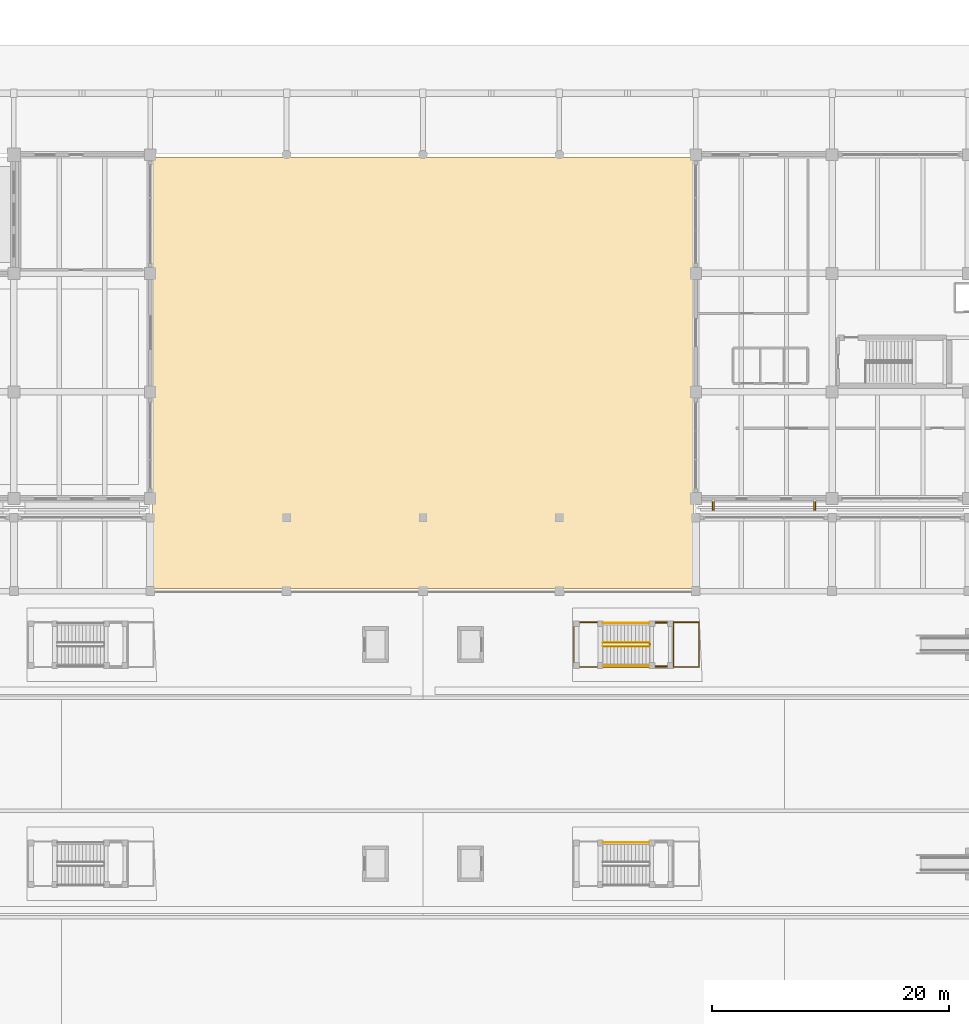
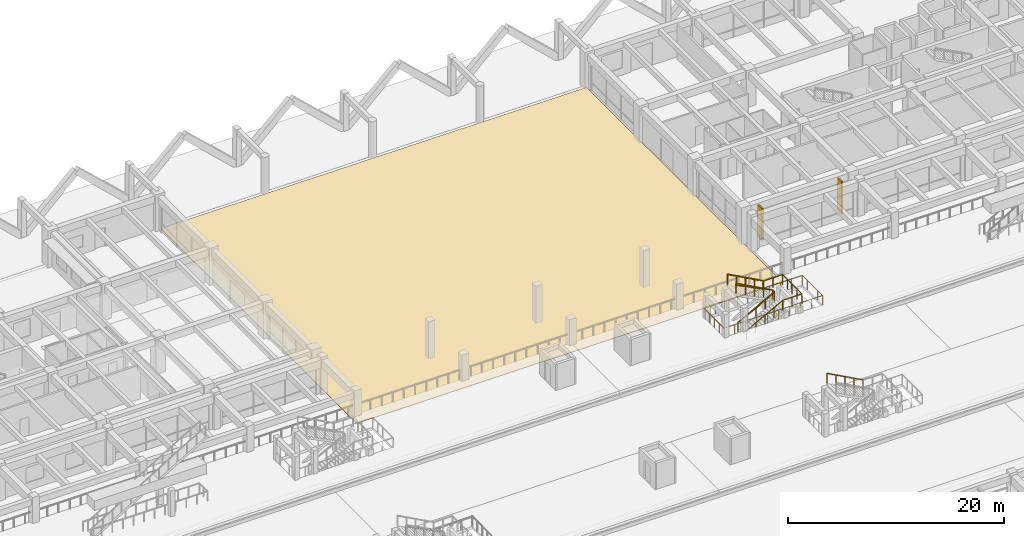
# One storey, part 104 of 109: 8 railings, 2 shading devices, 1 covering.
"""IFC4 building model written with IfcOpenShell, lengths in metres."""

from ifc_helpers import new_model, si_unit, direction, frame, origin, origin_2d, place, context, subcontext, project, spatial, polyline, rectangle, circle, outline, extrude, material, layer, layer_set, type_object, element, save


model = new_model("IFC4")

# Units and contexts
model_context = context("Model", 3, precision=1e-05, world=origin(), true_north=direction((0.0, 1.0)))
body_context = subcontext(model_context, "Body", "Model", "MODEL_VIEW")
ifc_project = project(units=[si_unit("LENGTHUNIT", "METRE"), si_unit("AREAUNIT", "SQUARE_METRE"), si_unit("VOLUMEUNIT", "CUBIC_METRE"), si_unit("PLANEANGLEUNIT", "RADIAN"), si_unit("MASSUNIT", "GRAM", prefix="KILO")], contexts=[model_context])

# Site, building, storey
site_placement = place(None, origin())
site = spatial("IfcSite", under=ifc_project, at=site_placement, CompositionType="ELEMENT")
building_placement = place(site_placement, origin())
building = spatial("IfcBuilding", under=site, at=building_placement, Name="Ologun Quay Terminus", CompositionType="ELEMENT")
storey_placement = place(building_placement, origin())
storey = spatial("IfcBuildingStorey", under=building, at=storey_placement, Name="L00", CompositionType="ELEMENT", Elevation=0.0)

# Shading devices
ifc_material_1 = material(Name="Concrete C40/50", Category="concrete")
ifc_layer_1 = layer(ifc_material_1, 0.159912109375)
ifc_layer_set_1 = layer_set([ifc_layer_1], Name="Concrete C40/50")
shading_device_type = type_object("IfcShadingDeviceType", Name="Operations Angled Precast Solar Fin 850x160", PredefinedType="USERDEFINED", material=ifc_layer_set_1)
for number, where, z_axis, x_axis, name in (
    (1, (116.469970703125, 85.2451171875, 0.150146484375), (0.0, 0.0, 1.0), (1.0, 0.0, 0.0), "SD-05 Vertical Solar Fin WEW-EW-L00-1-1"),
    (2, (125.030029296875, 85.2451171875, 0.150146484375), (0.0, 0.0, 1.0), (1.0, 0.0, 0.0), "SD-05 Vertical Solar Fin WEW-EW-L00-1-2"),
):
    element("IfcShadingDevice", number, at=place(storey_placement, frame(where, z_axis=z_axis, x_axis=x_axis)), inside=storey, type_object=shading_device_type, Name=name, ObjectType="SOLAR FIN", PredefinedType="USERDEFINED", context=body_context, shape_type="SweptSolid", body=[
        extrude(rectangle(XDim=0.159912109375, YDim=0.85009765625, at=origin_2d()), origin(), (0.0, 0.0, 1.0), 3.6298828125),
    ])

# Covering
ifc_material_2 = material(Name="Granite Stone", Category="masonry")
ifc_layer_2 = layer(ifc_material_2, 0.06005859375)
ifc_layer_set_2 = layer_set([ifc_layer_2], Name="Granite Stone")
covering_type = type_object("IfcCoveringType", Name="Quay & Forecourt Bush-Hammered Granite Paving 60", PredefinedType="USERDEFINED", material=ifc_layer_set_2)
covering_placement = place(storey_placement, frame((0.0, 0.0, -0.06005859375)))
element("IfcCovering", 3, at=covering_placement, inside=storey, type_object=covering_type, Name="CV-PVG Exterior Granite Paving RAIN-COURT", ObjectType="PAVING", PredefinedType="USERDEFINED", context=body_context, shape_type="SweptSolid", body=[
    extrude(outline(polyline([(69.199951171875, 78.199951171875), (114.800048828125, 78.199951171875), (114.800048828125, 114.60009765625), (69.199951171875, 114.60009765625), (69.199951171875, 78.199951171875)])), origin(), (0.0, 0.0, 1.0), 0.06005859375),
])

# Railings
ifc_material_3 = material(Name="Steel S355", Category="steel")
railing_type_1 = type_object("IfcRailingType", Name="Stair & Landing Steel Guardrail 1100", PredefinedType="GUARDRAIL", material=ifc_material_3)
railing_1_placement = place(storey_placement, frame((107.199951171875, 73.35009765625, 0.0)))
element("IfcRailing", 4, at=railing_1_placement, inside=storey, type_object=railing_type_1, Name="GR-ST Stair Inner Well Guard ST-P4 L00", PredefinedType="GUARDRAIL", context=body_context, shape_type="SweptSolid", body=[
    extrude(circle(Radius=0.02392578125, at=origin_2d()), frame((0.0, 0.0, 1.076171875), z_axis=(0.881967403671, 0.0, 0.471310406062), x_axis=(0.0, 1.0, 0.0)), (0.0, 0.0, 1.0), 4.455810546875),
    extrude(circle(Radius=0.02392578125, at=origin_2d()), frame((3.929931640625, 0.0, 3.17626953125), z_axis=(0.0, 1.0, 0.0), x_axis=(-1.0, 0.0, 0.0)), (0.0, 0.0, 1.0), 0.2998046875),
    extrude(circle(Radius=0.02392578125, at=origin_2d()), frame((3.929931640625, 0.2998046875, 3.17626953125), z_axis=(-0.881990178689, 0.0, 0.471267784488), x_axis=(0.0, -1.0, 0.0)), (0.0, 0.0, 1.0), 4.455810546875),
    extrude(circle(Radius=0.02099609375, at=origin_2d()), origin(), (0.0, 0.0, 1.0), 1.052001953125),
    extrude(circle(Radius=0.02099609375, at=origin_2d()), frame((0.982421875, 0.0, 0.52490234375)), (0.0, 0.0, 1.0), 1.052001953125),
    extrude(circle(Radius=0.02099609375, at=origin_2d()), frame((1.96484375, 0.0, 1.050048828125)), (0.0, 0.0, 1.0), 1.052001953125),
    extrude(circle(Radius=0.02099609375, at=origin_2d()), frame((2.947509765625, 0.0, 1.5751953125)), (0.0, 0.0, 1.0), 1.052001953125),
    extrude(circle(Radius=0.02099609375, at=origin_2d()), frame((3.929931640625, 0.0, 2.10009765625)), (0.0, 0.0, 1.0), 1.052001953125),
    extrude(circle(Radius=0.02099609375, at=origin_2d()), frame((3.929931640625, 0.2998046875, 2.10009765625)), (0.0, 0.0, 1.0), 1.052001953125),
    extrude(circle(Radius=0.02099609375, at=origin_2d()), frame((2.947509765625, 0.2998046875, 2.625)), (0.0, 0.0, 1.0), 1.052001953125),
    extrude(circle(Radius=0.02099609375, at=origin_2d()), frame((1.96484375, 0.2998046875, 3.14990234375)), (0.0, 0.0, 1.0), 1.052001953125),
    extrude(circle(Radius=0.02099609375, at=origin_2d()), frame((0.982421875, 0.2998046875, 3.675048828125)), (0.0, 0.0, 1.0), 1.052001953125),
    extrude(circle(Radius=0.02099609375, at=origin_2d()), frame((0.0, 0.2998046875, 4.199951171875)), (0.0, 0.0, 1.0), 1.052001953125),
])
railing_2_placement = place(storey_placement, frame((104.719970703125, 75.300048828125, 1.25)))
element("IfcRailing", 5, at=railing_2_placement, inside=storey, type_object=railing_type_1, Name="GR-ST Platform Pocket Guard ST-P4 L00", PredefinedType="GUARDRAIL", context=body_context, shape_type="SweptSolid", body=[
    extrude(circle(Radius=0.02392578125, at=origin_2d()), frame((0.0, 0.0, 1.076171875), z_axis=(0.0, -1.0, 0.0), x_axis=(1.0, 0.0, 0.0)), (0.0, 0.0, 1.0), 3.679931640625),
    extrude(circle(Radius=0.02392578125, at=origin_2d()), frame((0.0, -3.679931640625, 1.076171875), z_axis=(1.0, 0.0, 0.0), x_axis=(0.0, 1.0, 0.0)), (0.0, 0.0, 1.0), 10.56005859375),
    extrude(circle(Radius=0.02392578125, at=origin_2d()), frame((10.56005859375, -3.679931640625, 1.076171875), z_axis=(0.0, 1.0, 0.0), x_axis=(-1.0, 0.0, 0.0)), (0.0, 0.0, 1.0), 3.759765625),
    extrude(circle(Radius=0.02392578125, at=origin_2d()), frame((10.56005859375, 0.079833984375, 1.076171875), z_axis=(-1.0, 0.0, 0.0), x_axis=(0.0, -1.0, 0.0)), (0.0, 0.0, 1.0), 10.47998046875),
    extrude(circle(Radius=0.02099609375, at=origin_2d()), origin(), (0.0, 0.0, 1.0), 1.052001953125),
    extrude(circle(Radius=0.02099609375, at=origin_2d()), frame((0.0, -0.919921875, 0.0)), (0.0, 0.0, 1.0), 1.052001953125),
    extrude(circle(Radius=0.02099609375, at=origin_2d()), frame((0.0, -1.83984375, 0.0)), (0.0, 0.0, 1.0), 1.052001953125),
    extrude(circle(Radius=0.02099609375, at=origin_2d()), frame((0.0, -2.760009765625, 0.0)), (0.0, 0.0, 1.0), 1.052001953125),
    extrude(circle(Radius=0.02099609375, at=origin_2d()), frame((0.0, -3.679931640625, 0.0)), (0.0, 0.0, 1.0), 1.052001953125),
    extrude(circle(Radius=0.02099609375, at=origin_2d()), frame((1.17333984375, -3.679931640625, 0.0)), (0.0, 0.0, 1.0), 1.052001953125),
    extrude(circle(Radius=0.02099609375, at=origin_2d()), frame((2.3466796875, -3.679931640625, 0.0)), (0.0, 0.0, 1.0), 1.052001953125),
    extrude(circle(Radius=0.02099609375, at=origin_2d()), frame((3.52001953125, -3.679931640625, 0.0)), (0.0, 0.0, 1.0), 1.052001953125),
    extrude(circle(Radius=0.02099609375, at=origin_2d()), frame((4.693359375, -3.679931640625, 0.0)), (0.0, 0.0, 1.0), 1.052001953125),
    extrude(circle(Radius=0.02099609375, at=origin_2d()), frame((5.86669921875, -3.679931640625, 0.0)), (0.0, 0.0, 1.0), 1.052001953125),
    extrude(circle(Radius=0.02099609375, at=origin_2d()), frame((7.0400390625, -3.679931640625, 0.0)), (0.0, 0.0, 1.0), 1.052001953125),
    extrude(circle(Radius=0.02099609375, at=origin_2d()), frame((8.21337890625, -3.679931640625, 0.0)), (0.0, 0.0, 1.0), 1.052001953125),
    extrude(circle(Radius=0.02099609375, at=origin_2d()), frame((9.38671875, -3.679931640625, 0.0)), (0.0, 0.0, 1.0), 1.052001953125),
    extrude(circle(Radius=0.02099609375, at=origin_2d()), frame((10.56005859375, -3.679931640625, 0.0)), (0.0, 0.0, 1.0), 1.052001953125),
    extrude(circle(Radius=0.02099609375, at=origin_2d()), frame((10.56005859375, -2.739990234375, 0.0)), (0.0, 0.0, 1.0), 1.052001953125),
    extrude(circle(Radius=0.02099609375, at=origin_2d()), frame((10.56005859375, -1.800048828125, 0.0)), (0.0, 0.0, 1.0), 1.052001953125),
    extrude(circle(Radius=0.02099609375, at=origin_2d()), frame((10.56005859375, -0.860107421875, 0.0)), (0.0, 0.0, 1.0), 1.052001953125),
    extrude(circle(Radius=0.02099609375, at=origin_2d()), frame((10.56005859375, 0.079833984375, 0.0)), (0.0, 0.0, 1.0), 1.052001953125),
    extrude(circle(Radius=0.02099609375, at=origin_2d()), frame((9.3955078125, 0.079833984375, 0.0)), (0.0, 0.0, 1.0), 1.052001953125),
    extrude(circle(Radius=0.02099609375, at=origin_2d()), frame((8.231201171875, 0.079833984375, 0.0)), (0.0, 0.0, 1.0), 1.052001953125),
    extrude(circle(Radius=0.02099609375, at=origin_2d()), frame((7.066650390625, 0.079833984375, 0.0)), (0.0, 0.0, 1.0), 1.052001953125),
    extrude(circle(Radius=0.02099609375, at=origin_2d()), frame((5.90234375, 0.079833984375, 0.0)), (0.0, 0.0, 1.0), 1.052001953125),
    extrude(circle(Radius=0.02099609375, at=origin_2d()), frame((4.73779296875, 0.079833984375, 0.0)), (0.0, 0.0, 1.0), 1.052001953125),
    extrude(circle(Radius=0.02099609375, at=origin_2d()), frame((3.573486328125, 0.079833984375, 0.0)), (0.0, 0.0, 1.0), 1.052001953125),
    extrude(circle(Radius=0.02099609375, at=origin_2d()), frame((2.408935546875, 0.079833984375, 0.0)), (0.0, 0.0, 1.0), 1.052001953125),
    extrude(circle(Radius=0.02099609375, at=origin_2d()), frame((1.24462890625, 0.079833984375, 0.0)), (0.0, 0.0, 1.0), 1.052001953125),
    extrude(circle(Radius=0.02099609375, at=origin_2d()), frame((0.080078125, 0.079833984375, 0.0)), (0.0, 0.0, 1.0), 1.052001953125),
])
ifc_material_4 = material(Name="Steel S355", Category="steel")
railing_type_2 = type_object("IfcRailingType", Name="Stair Stainless Tubular Handrail 920", PredefinedType="HANDRAIL", material=ifc_material_4)
railing_3_placement = place(storey_placement, frame((107.199951171875, 73.340087890625, 0.14990234375)))
element("IfcRailing", 6, at=railing_3_placement, inside=storey, type_object=railing_type_2, Name="HR-ST Handrail ST-P4-F1 L00", PredefinedType="HANDRAIL", context=body_context, shape_type="SweptSolid", body=[
    extrude(circle(Radius=0.02392578125, at=origin_2d()), frame((0.0, 0.0, 0.89599609375), z_axis=(0.894415993023, 0.0, 0.447235990752), x_axis=(0.0, 1.0, 0.0)), (0.0, 0.0, 1.0), 4.360595703125),
    extrude(circle(Radius=0.02099609375, at=origin_2d()), origin(), (0.0, 0.0, 1.0), 0.871826171875),
    extrude(circle(Radius=0.02099609375, at=origin_2d()), frame((0.97509765625, 0.0, 0.487548828125)), (0.0, 0.0, 1.0), 0.871826171875),
    extrude(circle(Radius=0.02099609375, at=origin_2d()), frame((1.9501953125, 0.0, 0.97509765625)), (0.0, 0.0, 1.0), 0.871826171875),
    extrude(circle(Radius=0.02099609375, at=origin_2d()), frame((2.925048828125, 0.0, 1.462646484375)), (0.0, 0.0, 1.0), 0.871826171875),
    extrude(circle(Radius=0.02099609375, at=origin_2d()), frame((3.900146484375, 0.0, 1.9501953125)), (0.0, 0.0, 1.0), 0.871826171875),
])
railing_4_placement = place(storey_placement, frame((111.10009765625, 73.659912109375, 2.25)))
element("IfcRailing", 7, at=railing_4_placement, inside=storey, type_object=railing_type_2, Name="HR-ST Handrail ST-P4-F2 L00", PredefinedType="HANDRAIL", context=body_context, shape_type="SweptSolid", body=[
    extrude(circle(Radius=0.02392578125, at=origin_2d()), frame((0.0, 0.0, 0.89599609375), z_axis=(-0.894438388696, 0.0, 0.447191199406), x_axis=(0.0, -1.0, 0.0)), (0.0, 0.0, 1.0), 4.3603515625),
    extrude(circle(Radius=0.02099609375, at=origin_2d()), origin(), (0.0, 0.0, 1.0), 0.871826171875),
    extrude(circle(Radius=0.02099609375, at=origin_2d()), frame((-0.97509765625, 0.0, 0.487548828125)), (0.0, 0.0, 1.0), 0.871826171875),
    extrude(circle(Radius=0.02099609375, at=origin_2d()), frame((-1.9501953125, 0.0, 0.97509765625)), (0.0, 0.0, 1.0), 0.871826171875),
    extrude(circle(Radius=0.02099609375, at=origin_2d()), frame((-2.925048828125, 0.0, 1.46240234375)), (0.0, 0.0, 1.0), 0.871826171875),
    extrude(circle(Radius=0.02099609375, at=origin_2d()), frame((-3.900146484375, 0.0, 1.949951171875)), (0.0, 0.0, 1.0), 0.871826171875),
])
ifc_material_5 = material(Name="Steel S355", Category="steel")
railing_type_3 = type_object("IfcRailingType", Name="Terrace & Quay Perimeter Guardrail 1150", PredefinedType="GUARDRAIL", material=ifc_material_5)
railing_5_placement = place(storey_placement, frame((107.199951171875, 56.800048828125, 4.199951171875)))
element("IfcRailing", 8, at=railing_5_placement, inside=storey, type_object=railing_type_3, Name="GR-TR Open Flight Outer Guard ST-P2-N L00", PredefinedType="GUARDRAIL", context=body_context, shape_type="SweptSolid", body=[
    extrude(circle(Radius=0.02392578125, at=origin_2d()), frame((0.0, 0.0, 1.1259765625), z_axis=(0.878955042315, 0.0, -0.476904637835), x_axis=(0.0, 1.0, 0.0)), (0.0, 0.0, 1.0), 4.403076171875),
    extrude(circle(Radius=0.02099609375, at=origin_2d()), origin(), (0.0, 0.0, 1.0), 1.101806640625),
    extrude(circle(Radius=0.02099609375, at=origin_2d()), frame((0.967529296875, 0.0, -0.52490234375)), (0.0, 0.0, 1.0), 1.101806640625),
    extrude(circle(Radius=0.02099609375, at=origin_2d()), frame((1.93505859375, 0.0, -1.0498046875)), (0.0, 0.0, 1.0), 1.101806640625),
    extrude(circle(Radius=0.02099609375, at=origin_2d()), frame((2.902587890625, 0.0, -1.574951171875)), (0.0, 0.0, 1.0), 1.101806640625),
    extrude(circle(Radius=0.02099609375, at=origin_2d()), frame((3.8701171875, 0.0, -2.099853515625)), (0.0, 0.0, 1.0), 1.101806640625),
])
railing_6_placement = place(storey_placement, frame((111.030029296875, 71.699951171875, 2.10009765625)))
element("IfcRailing", 9, at=railing_6_placement, inside=storey, type_object=railing_type_3, Name="GR-TR Open Stair Half-Landing Guard ST-P4 L00", PredefinedType="GUARDRAIL", context=body_context, shape_type="SweptSolid", body=[
    extrude(circle(Radius=0.02392578125, at=origin_2d()), frame((0.0, 0.0, 1.1259765625), z_axis=(1.0, 0.0, 0.0), x_axis=(0.0, 1.0, 0.0)), (0.0, 0.0, 1.0), 2.080078125),
    extrude(circle(Radius=0.02392578125, at=origin_2d()), frame((2.080078125, 0.0, 1.1259765625), z_axis=(0.0, 1.0, 0.0), x_axis=(-1.0, 0.0, 0.0)), (0.0, 0.0, 1.0), 3.60009765625),
    extrude(circle(Radius=0.02392578125, at=origin_2d()), frame((2.080078125, 3.60009765625, 1.1259765625), z_axis=(-1.0, 0.0, 0.0), x_axis=(0.0, -1.0, 0.0)), (0.0, 0.0, 1.0), 2.080078125),
    extrude(circle(Radius=0.02099609375, at=origin_2d()), origin(), (0.0, 0.0, 1.0), 1.101806640625),
    extrude(circle(Radius=0.02099609375, at=origin_2d()), frame((1.0400390625, 0.0, 0.0)), (0.0, 0.0, 1.0), 1.101806640625),
    extrude(circle(Radius=0.02099609375, at=origin_2d()), frame((2.080078125, 0.0, 0.0)), (0.0, 0.0, 1.0), 1.101806640625),
    extrude(circle(Radius=0.02099609375, at=origin_2d()), frame((2.080078125, 0.89990234375, 0.0)), (0.0, 0.0, 1.0), 1.101806640625),
    extrude(circle(Radius=0.02099609375, at=origin_2d()), frame((2.080078125, 1.800048828125, 0.0)), (0.0, 0.0, 1.0), 1.101806640625),
    extrude(circle(Radius=0.02099609375, at=origin_2d()), frame((2.080078125, 2.7001953125, 0.0)), (0.0, 0.0, 1.0), 1.101806640625),
    extrude(circle(Radius=0.02099609375, at=origin_2d()), frame((2.080078125, 3.60009765625, 0.0)), (0.0, 0.0, 1.0), 1.101806640625),
    extrude(circle(Radius=0.02099609375, at=origin_2d()), frame((1.0400390625, 3.60009765625, 0.0)), (0.0, 0.0, 1.0), 1.101806640625),
    extrude(circle(Radius=0.02099609375, at=origin_2d()), frame((0.0, 3.60009765625, 0.0)), (0.0, 0.0, 1.0), 1.101806640625),
])
railing_7_placement = place(storey_placement, frame((107.199951171875, 71.699951171875, 0.0)))
element("IfcRailing", 10, at=railing_7_placement, inside=storey, type_object=railing_type_3, Name="GR-TR Open Flight Outer Guard ST-P4-S L00", PredefinedType="GUARDRAIL", context=body_context, shape_type="SweptSolid", body=[
    extrude(circle(Radius=0.02392578125, at=origin_2d()), frame((0.0, 0.0, 1.1259765625), z_axis=(0.878931799495, 0.0, 0.476947472827), x_axis=(0.0, 1.0, 0.0)), (0.0, 0.0, 1.0), 4.4033203125),
    extrude(circle(Radius=0.02099609375, at=origin_2d()), origin(), (0.0, 0.0, 1.0), 1.101806640625),
    extrude(circle(Radius=0.02099609375, at=origin_2d()), frame((0.967529296875, 0.0, 0.52490234375)), (0.0, 0.0, 1.0), 1.101806640625),
    extrude(circle(Radius=0.02099609375, at=origin_2d()), frame((1.93505859375, 0.0, 1.050048828125)), (0.0, 0.0, 1.0), 1.101806640625),
    extrude(circle(Radius=0.02099609375, at=origin_2d()), frame((2.902587890625, 0.0, 1.5751953125)), (0.0, 0.0, 1.0), 1.101806640625),
    extrude(circle(Radius=0.02099609375, at=origin_2d()), frame((3.8701171875, 0.0, 2.10009765625)), (0.0, 0.0, 1.0), 1.101806640625),
])
railing_8_placement = place(storey_placement, frame((107.199951171875, 75.300048828125, 4.199951171875)))
element("IfcRailing", 11, at=railing_8_placement, inside=storey, type_object=railing_type_3, Name="GR-TR Open Flight Outer Guard ST-P4-N L00", PredefinedType="GUARDRAIL", context=body_context, shape_type="SweptSolid", body=[
    extrude(circle(Radius=0.02392578125, at=origin_2d()), frame((0.0, 0.0, 1.1259765625), z_axis=(0.878955042315, 0.0, -0.476904637835), x_axis=(0.0, 1.0, 0.0)), (0.0, 0.0, 1.0), 4.403076171875),
    extrude(circle(Radius=0.02099609375, at=origin_2d()), origin(), (0.0, 0.0, 1.0), 1.101806640625),
    extrude(circle(Radius=0.02099609375, at=origin_2d()), frame((0.967529296875, 0.0, -0.52490234375)), (0.0, 0.0, 1.0), 1.101806640625),
    extrude(circle(Radius=0.02099609375, at=origin_2d()), frame((1.93505859375, 0.0, -1.0498046875)), (0.0, 0.0, 1.0), 1.101806640625),
    extrude(circle(Radius=0.02099609375, at=origin_2d()), frame((2.902587890625, 0.0, -1.574951171875)), (0.0, 0.0, 1.0), 1.101806640625),
    extrude(circle(Radius=0.02099609375, at=origin_2d()), frame((3.8701171875, 0.0, -2.099853515625)), (0.0, 0.0, 1.0), 1.101806640625),
])

save(model, "model.ifc")
